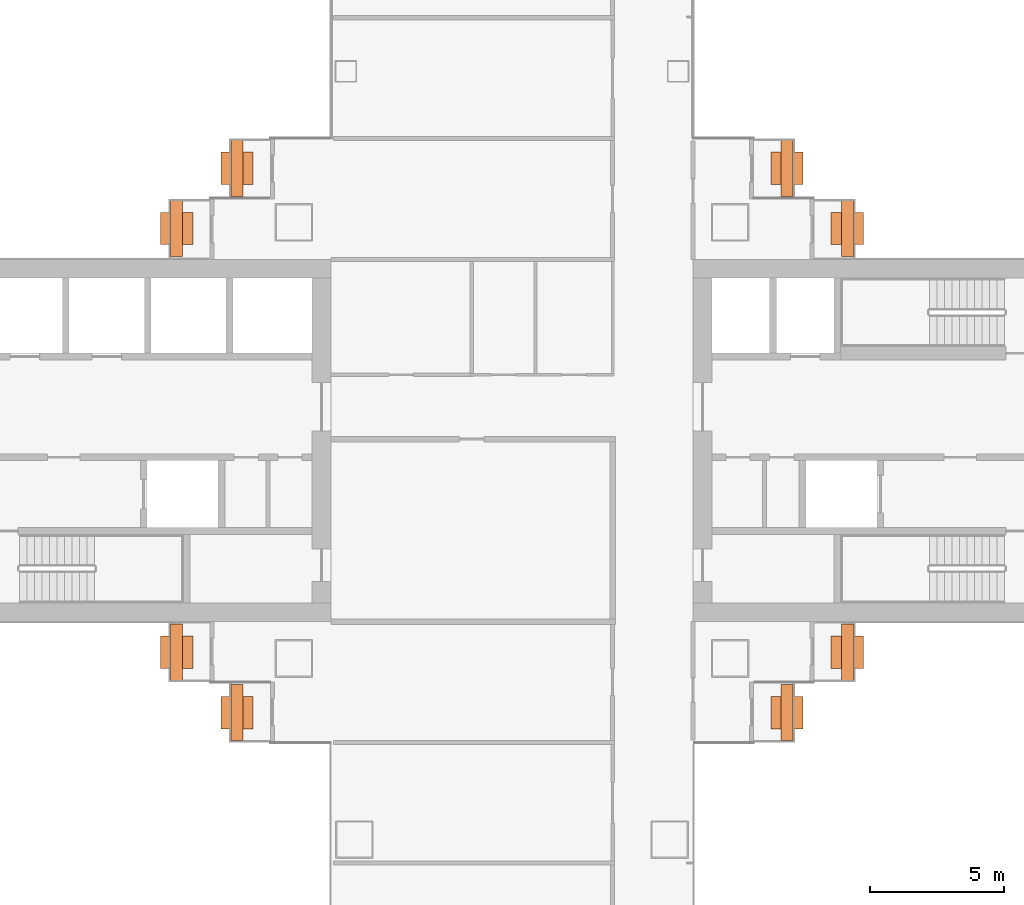
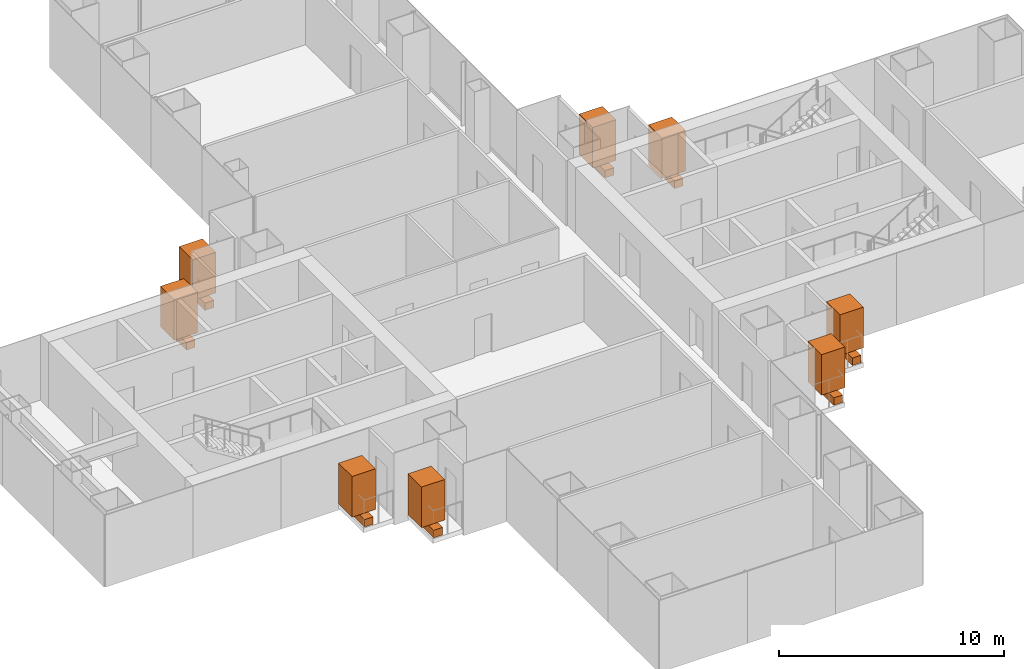
# One storey, part 21 of 21: 8 geographic elements, 8 proxies.
"""IFC4 building model written with IfcOpenShell, lengths in metres."""

from ifc_helpers import new_model, si_unit, direction, frame, origin, origin_2d, place, context, subcontext, project, spatial, rectangle, extrude, material, type_object, element, save


model = new_model("IFC4")

# Units and contexts
model_context = context("Model", 3, precision=1e-05, world=origin(), true_north=direction((0.0, 1.0)))
body_context = subcontext(model_context, "Body", "Model", "MODEL_VIEW")
ifc_project = project(units=[si_unit("LENGTHUNIT", "METRE"), si_unit("AREAUNIT", "SQUARE_METRE"), si_unit("VOLUMEUNIT", "CUBIC_METRE"), si_unit("PLANEANGLEUNIT", "RADIAN"), si_unit("MASSUNIT", "GRAM", prefix="KILO")], contexts=[model_context])

# Site, building, storey
site_placement = place(None, origin())
site = spatial("IfcSite", under=ifc_project, at=site_placement, CompositionType="ELEMENT")
building_placement = place(site_placement, origin())
building = spatial("IfcBuilding", under=site, at=building_placement, Name="Shamsa Quay Exchange Towers", CompositionType="ELEMENT")
storey_placement = place(building_placement, frame((0.0, 0.0, 53.699951171875)))
storey = spatial("IfcBuildingStorey", under=building, at=storey_placement, Name="L11", CompositionType="ELEMENT", Elevation=53.699951171875)

# Proxies
ifc_material_1 = material(Name="Reinforced concrete C30/37, black glass-fibre faced", Category="concrete")
building_element_proxy_type = type_object("IfcBuildingElementProxyType", Name="BALCONY PLANTER", PredefinedType="USERDEFINED", material=ifc_material_1)
for number, where, z_axis, x_axis, name in (
    (1, (23.5048828125, 10.14404296875, 0.0), (0.0, 0.0, 1.0), (0.0, -1.0, 0.0), "PLANTER T2-PKEN L11"),
    (2, (21.2548828125, 7.89404296875, 0.0), (0.0, 0.0, 1.0), (0.0, -1.0, 0.0), "PLANTER T2-PKEN L11"),
    (3, (43.9951171875, 10.14404296875, 0.0), (0.0, 0.0, 1.0), (0.0, 1.0, 0.0), "PLANTER T2-PKES L11"),
    (4, (46.2451171875, 7.89404296875, 0.0), (0.0, 0.0, 1.0), (0.0, 1.0, 0.0), "PLANTER T2-PKES L11"),
    (5, (21.2548828125, -7.89404296875, 0.0), (0.0, 0.0, 1.0), (0.0, -1.0, 0.0), "PLANTER T2-PKWN L11"),
    (6, (23.5048828125, -10.14404296875, 0.0), (0.0, 0.0, 1.0), (0.0, -1.0, 0.0), "PLANTER T2-PKWN L11"),
    (7, (43.9951171875, -10.14404296875, 0.0), (0.0, 0.0, 1.0), (0.0, 1.0, 0.0), "PLANTER T2-PKWS L11"),
    (8, (46.2451171875, -7.89404296875, 0.0), (0.0, 0.0, 1.0), (0.0, 1.0, 0.0), "PLANTER T2-PKWS L11"),
):
    element("IfcBuildingElementProxy", number, at=place(storey_placement, frame(where, z_axis=z_axis, x_axis=x_axis)), inside=storey, type_object=building_element_proxy_type, Name=name, ObjectType="PLANTER", PredefinedType="USERDEFINED", context=body_context, shape_type="SweptSolid", body=[
        extrude(rectangle(XDim=2.092041015625, YDim=0.449951171875, at=origin_2d()), origin(), (0.0, 0.0, 1.0), 0.39990234375),
    ])

# Geographic elements
ifc_material_2 = material(Name="Planting")
geographic_element_type = type_object("IfcGeographicElementType", Name="BALCONY TREE", PredefinedType="USERDEFINED", material=ifc_material_2)
for number, where, z_axis, x_axis, name in (
    (9, (23.5048828125, 10.14404296875, 0.39990234375), (0.0, 0.0, 1.0), (0.0, -1.0, 0.0), "TREE T2-PKEN L11"),
    (10, (21.2548828125, 7.89404296875, 0.39990234375), (0.0, 0.0, 1.0), (0.0, -1.0, 0.0), "TREE T2-PKEN L11"),
    (11, (43.9951171875, 10.14404296875, 0.39990234375), (0.0, 0.0, 1.0), (0.0, 1.0, 0.0), "TREE T2-PKES L11"),
    (12, (46.2451171875, 7.89404296875, 0.39990234375), (0.0, 0.0, 1.0), (0.0, 1.0, 0.0), "TREE T2-PKES L11"),
    (13, (21.2548828125, -7.89404296875, 0.39990234375), (0.0, 0.0, 1.0), (0.0, -1.0, 0.0), "TREE T2-PKWN L11"),
    (14, (23.5048828125, -10.14404296875, 0.39990234375), (0.0, 0.0, 1.0), (0.0, -1.0, 0.0), "TREE T2-PKWN L11"),
    (15, (43.9951171875, -10.14404296875, 0.39990234375), (0.0, 0.0, 1.0), (0.0, 1.0, 0.0), "TREE T2-PKWS L11"),
    (16, (46.2451171875, -7.89404296875, 0.39990234375), (0.0, 0.0, 1.0), (0.0, 1.0, 0.0), "TREE T2-PKWS L11"),
):
    element("IfcGeographicElement", number, at=place(storey_placement, frame(where, z_axis=z_axis, x_axis=x_axis)), inside=storey, type_object=geographic_element_type, Name=name, ObjectType="TREE", PredefinedType="USERDEFINED", context=body_context, shape_type="SweptSolid", body=[
        extrude(rectangle(XDim=1.199951171875, YDim=1.199951171875, at=origin_2d()), origin(), (0.0, 0.0, 1.0), 2.199951171875),
    ])

save(model, "model.ifc")
